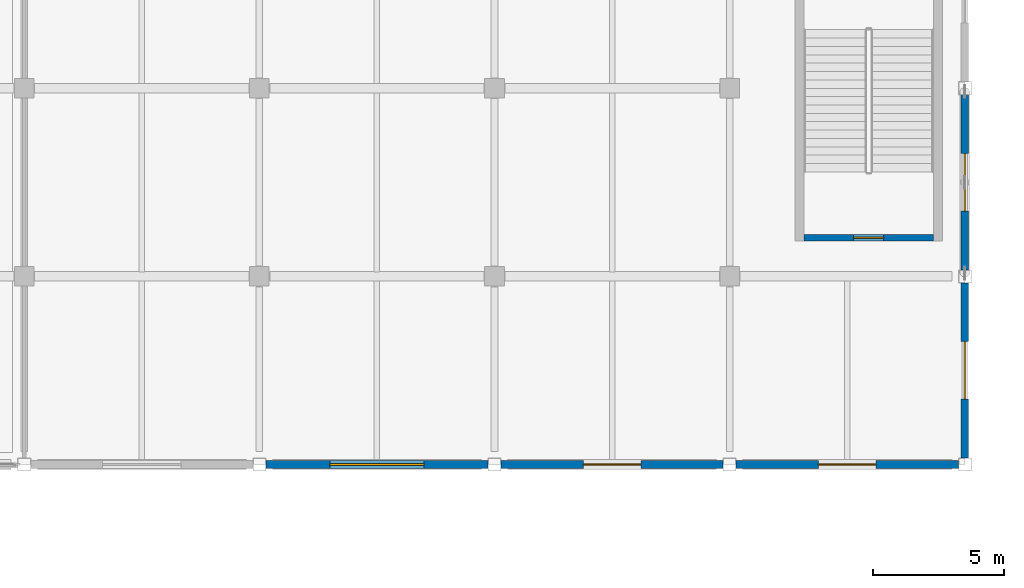
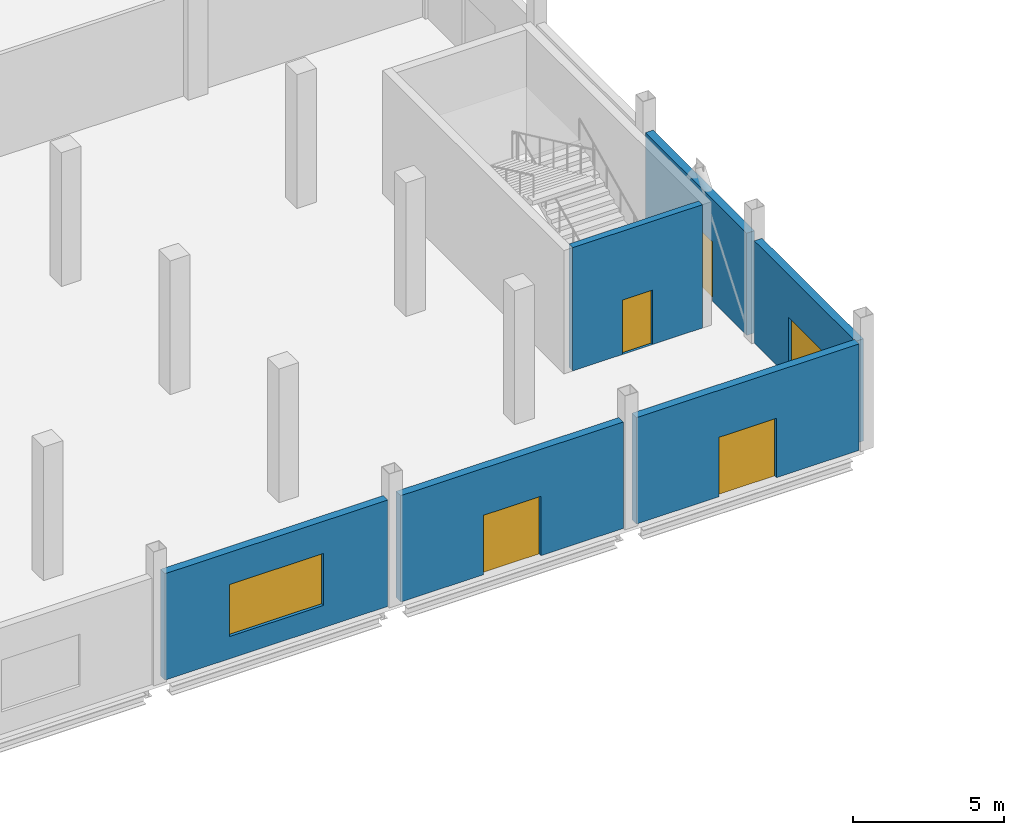
# One storey, part 94 of 137: 6 walls, 5 doors, 1 window, 6 openings.
"""IFC4 building model written with IfcOpenShell, lengths in metres."""

from ifc_helpers import new_model, si_unit, direction, frame, frame_2d, origin, place, context, subcontext, project, spatial, rectangle, extrude, material, layer, layer_set, type_object, element, fill, save


model = new_model("IFC4")

# Units and contexts
model_context = context("Model", 3, precision=1e-05, world=origin(), true_north=direction((0.0, 1.0)))
body_context = subcontext(model_context, "Body", "Model", "MODEL_VIEW")
ifc_project = project(units=[si_unit("LENGTHUNIT", "METRE"), si_unit("AREAUNIT", "SQUARE_METRE"), si_unit("VOLUMEUNIT", "CUBIC_METRE"), si_unit("PLANEANGLEUNIT", "RADIAN"), si_unit("MASSUNIT", "GRAM", prefix="KILO")], contexts=[model_context])

# Site, building, storey
site_placement = place(None, origin())
site = spatial("IfcSite", under=ifc_project, at=site_placement, CompositionType="ELEMENT")
building_placement = place(site_placement, origin())
building = spatial("IfcBuilding", under=site, at=building_placement, Name="Celestram Park Convention Centre", CompositionType="ELEMENT")
storey_placement = place(building_placement, origin())
storey = spatial("IfcBuildingStorey", under=building, at=storey_placement, Name="L00", CompositionType="ELEMENT", Elevation=0.0)

# Wall, opening, door
ifc_material_1 = material(Name="Concrete Block Masonry C25/30", Category="masonry")
ifc_layer_1 = layer(ifc_material_1, 0.25)
ifc_layer_set_1 = layer_set([ifc_layer_1], Name="Concrete Block Masonry C25/30")
wall_type_1 = type_object("IfcWallType", Name="ARC-WL-COR250", PredefinedType="STANDARD", material=ifc_layer_set_1)
wall_1_placement = place(storey_placement, frame((214.800048828125, 123.875, 0.0), z_axis=(0.0, 0.0, 1.0), x_axis=(-1.0, 0.0, 0.0)))
wall_1 = element("IfcWall", 1, at=wall_1_placement, inside=storey, type_object=wall_type_1, Name="Core S08 stair entrance wall", PredefinedType="STANDARD", context=body_context, shape_type="SweptSolid", body=[
    extrude(rectangle(XDim=4.9599609375, YDim=0.25, at=frame_2d((2.47998046875, 0.0))), origin(), (0.0, 0.0, 1.0), 4.97998046875),
])
opening_1_placement = place(wall_1_placement, frame((1.905029296875, 0.0, 0.0)))
opening_1 = element("IfcOpeningElement", 2, at=opening_1_placement, cuts=wall_1, Name="Opening D-ST1", PredefinedType="OPENING", context=body_context, shape_type="SweptSolid", body=[
    extrude(rectangle(XDim=1.14990234375, YDim=2.199951171875, at=frame_2d((0.574951171875, 1.10009765625))), frame((0.0, 0.135009765625, 0.0), z_axis=(0.0, -1.0, 0.0), x_axis=(1.0, 0.0, 0.0)), (0.0, 0.0, 1.0), 0.27001953125),
])
ifc_material_2 = material(Name="Fire-Rated Hollow Metal Steel ASTM A653", Category="steel")
door_type_1 = type_object("IfcDoorType", Name="ARC-DR-ST115", OperationType="NOTDEFINED", PredefinedType="DOOR", material=ifc_material_2)
door_1_placement = place(opening_1_placement, origin())
door_1 = element("IfcDoor", 3, at=door_1_placement, inside=storey, type_object=door_type_1, Name="Exit stair ST-08 fire door", OperationType="SINGLE_SWING_RIGHT", OverallHeight=2.199951171875, OverallWidth=1.14990234375, PredefinedType="DOOR", context=body_context, shape_type="SweptSolid", body=[
    extrude(rectangle(XDim=1.14990234375, YDim=2.199951171875, at=frame_2d((0.574951171875, 1.10009765625))), frame((0.0, 0.02490234375, 0.0), z_axis=(0.0, -1.0, 0.0), x_axis=(1.0, 0.0, 0.0)), (0.0, 0.0, 1.0), 0.050048828125),
])
fill(opening_1, door_1)

ifc_material_3 = material(Name="Precast Concrete C40/50", Category="concrete")
ifc_layer_2 = layer(ifc_material_3, 0.300048828125)
ifc_layer_set_2 = layer_set([ifc_layer_2], Name="Precast Concrete C40/50")
wall_type_2 = type_object("IfcWallType", Name="ARC-WL-EXT300", PredefinedType="STANDARD", material=ifc_layer_set_2)
wall_2_placement = place(storey_placement, frame((216.0, 129.35205078125, 0.0), z_axis=(0.0, 0.0, 1.0), x_axis=(0.0, -1.0, 0.0)))
wall_2 = element("IfcWall", 4, at=wall_2_placement, inside=storey, type_object=wall_type_2, Name="Bush-hammered precast exterior wall WL-L00-EW050", PredefinedType="STANDARD", context=body_context, shape_type="SweptSolid", body=[
    extrude(rectangle(XDim=6.7041015625, YDim=0.300048828125, at=frame_2d((3.35205078125, 0.0))), origin(), (0.0, 0.0, 1.0), 4.1240234375),
])
opening_2_placement = place(wall_2_placement, frame((2.251953125, 0.0, 0.0)))
opening_2 = element("IfcOpeningElement", 5, at=opening_2_placement, cuts=wall_2, Name="Opening D-EX1", PredefinedType="OPENING", context=body_context, shape_type="SweptSolid", body=[
    extrude(rectangle(XDim=2.199951171875, YDim=2.39990234375, at=frame_2d((1.10009765625, 1.199951171875))), frame((0.0, 0.159912109375, 0.0), z_axis=(0.0, -1.0, 0.0), x_axis=(1.0, 0.0, 0.0)), (0.0, 0.0, 1.0), 0.320068359375),
])
ifc_material_4 = material(Name="Anodised Aluminium & Tempered Glass", Category="aluminium")
door_type_2 = type_object("IfcDoorType", Name="ARC-DR-EX2200", OperationType="NOTDEFINED", PredefinedType="DOOR", material=ifc_material_4)
door_2_placement = place(opening_2_placement, origin())
door_2 = element("IfcDoor", 6, at=door_2_placement, inside=storey, type_object=door_type_2, Name="Ground egress exit door DR-L00-EX49", OperationType="DOUBLE_DOOR_SINGLE_SWING", OverallHeight=2.39990234375, OverallWidth=2.199951171875, PredefinedType="DOOR", context=body_context, shape_type="SweptSolid", body=[
    extrude(rectangle(XDim=2.199951171875, YDim=2.39990234375, at=frame_2d((1.10009765625, 1.199951171875))), frame((0.0, 0.02490234375, 0.0), z_axis=(0.0, -1.0, 0.0), x_axis=(1.0, 0.0, 0.0)), (0.0, 0.0, 1.0), 0.050048828125),
])
fill(opening_2, door_2)

wall_3_placement = place(storey_placement, frame((216.0, 122.152099609375, 0.0), z_axis=(0.0, 0.0, 1.0), x_axis=(0.0, -1.0, 0.0)))
wall_3 = element("IfcWall", 7, at=wall_3_placement, inside=storey, type_object=wall_type_2, Name="Bush-hammered precast exterior wall WL-L00-EW051", PredefinedType="STANDARD", context=body_context, shape_type="SweptSolid", body=[
    extrude(rectangle(XDim=6.7041015625, YDim=0.300048828125, at=frame_2d((3.35205078125, 0.0))), origin(), (0.0, 0.0, 1.0), 4.1240234375),
])
opening_3_placement = place(wall_3_placement, frame((2.251953125, 0.0, 0.0)))
opening_3 = element("IfcOpeningElement", 8, at=opening_3_placement, cuts=wall_3, Name="Opening D-EX1", PredefinedType="OPENING", context=body_context, shape_type="SweptSolid", body=[
    extrude(rectangle(XDim=2.199951171875, YDim=2.39990234375, at=frame_2d((1.10009765625, 1.199951171875))), frame((0.0, 0.159912109375, 0.0), z_axis=(0.0, -1.0, 0.0), x_axis=(1.0, 0.0, 0.0)), (0.0, 0.0, 1.0), 0.320068359375),
])
door_3_placement = place(opening_3_placement, origin())
door_3 = element("IfcDoor", 9, at=door_3_placement, inside=storey, type_object=door_type_2, Name="Ground egress exit door DR-L00-EX50", OperationType="DOUBLE_DOOR_SINGLE_SWING", OverallHeight=2.39990234375, OverallWidth=2.199951171875, PredefinedType="DOOR", context=body_context, shape_type="SweptSolid", body=[
    extrude(rectangle(XDim=2.199951171875, YDim=2.39990234375, at=frame_2d((1.10009765625, 1.199951171875))), frame((0.0, 0.02490234375, 0.0), z_axis=(0.0, -1.0, 0.0), x_axis=(1.0, 0.0, 0.0)), (0.0, 0.0, 1.0), 0.050048828125),
])
fill(opening_3, door_3)

wall_4_placement = place(storey_placement, frame((215.751953125, 115.199951171875, 0.0), z_axis=(0.0, 0.0, 1.0), x_axis=(-1.0, 0.0, 0.0)))
wall_4 = element("IfcWall", 10, at=wall_4_placement, inside=storey, type_object=wall_type_2, Name="Bush-hammered precast exterior wall WL-L00-EW052", PredefinedType="STANDARD", context=body_context, shape_type="SweptSolid", body=[
    extrude(rectangle(XDim=8.50390625, YDim=0.300048828125, at=frame_2d((4.251953125, 0.0))), origin(), (0.0, 0.0, 1.0), 4.297119140625),
])
opening_4_placement = place(wall_4_placement, frame((3.152099609375, 0.0, 0.0)))
opening_4 = element("IfcOpeningElement", 11, at=opening_4_placement, cuts=wall_4, Name="Opening D-EX1", PredefinedType="OPENING", context=body_context, shape_type="SweptSolid", body=[
    extrude(rectangle(XDim=2.199951171875, YDim=2.39990234375, at=frame_2d((1.10009765625, 1.199951171875))), frame((0.0, 0.159912109375, 0.0), z_axis=(0.0, -1.0, 0.0), x_axis=(1.0, 0.0, 0.0)), (0.0, 0.0, 1.0), 0.320068359375),
])
door_4_placement = place(opening_4_placement, origin())
door_4 = element("IfcDoor", 12, at=door_4_placement, inside=storey, type_object=door_type_2, Name="Ground egress exit door DR-L00-EX51", OperationType="DOUBLE_DOOR_SINGLE_SWING", OverallHeight=2.39990234375, OverallWidth=2.199951171875, PredefinedType="DOOR", context=body_context, shape_type="SweptSolid", body=[
    extrude(rectangle(XDim=2.199951171875, YDim=2.39990234375, at=frame_2d((1.10009765625, 1.199951171875))), frame((0.0, 0.02490234375, 0.0), z_axis=(0.0, -1.0, 0.0), x_axis=(1.0, 0.0, 0.0)), (0.0, 0.0, 1.0), 0.050048828125),
])
fill(opening_4, door_4)

wall_5_placement = place(storey_placement, frame((206.751953125, 115.199951171875, 0.0), z_axis=(0.0, 0.0, 1.0), x_axis=(-1.0, 0.0, 0.0)))
wall_5 = element("IfcWall", 13, at=wall_5_placement, inside=storey, type_object=wall_type_2, Name="Bush-hammered precast exterior wall WL-L00-EW053", PredefinedType="STANDARD", context=body_context, shape_type="SweptSolid", body=[
    extrude(rectangle(XDim=8.50390625, YDim=0.300048828125, at=frame_2d((4.251953125, 0.0))), origin(), (0.0, 0.0, 1.0), 4.297119140625),
])
opening_5_placement = place(wall_5_placement, frame((3.152099609375, 0.0, 0.0)))
opening_5 = element("IfcOpeningElement", 14, at=opening_5_placement, cuts=wall_5, Name="Opening D-EX1", PredefinedType="OPENING", context=body_context, shape_type="SweptSolid", body=[
    extrude(rectangle(XDim=2.199951171875, YDim=2.39990234375, at=frame_2d((1.10009765625, 1.199951171875))), frame((0.0, 0.159912109375, 0.0), z_axis=(0.0, -1.0, 0.0), x_axis=(1.0, 0.0, 0.0)), (0.0, 0.0, 1.0), 0.320068359375),
])
door_5_placement = place(opening_5_placement, origin())
door_5 = element("IfcDoor", 15, at=door_5_placement, inside=storey, type_object=door_type_2, Name="Ground egress exit door DR-L00-EX52", OperationType="DOUBLE_DOOR_SINGLE_SWING", OverallHeight=2.39990234375, OverallWidth=2.199951171875, PredefinedType="DOOR", context=body_context, shape_type="SweptSolid", body=[
    extrude(rectangle(XDim=2.199951171875, YDim=2.39990234375, at=frame_2d((1.10009765625, 1.199951171875))), frame((0.0, 0.02490234375, 0.0), z_axis=(0.0, -1.0, 0.0), x_axis=(1.0, 0.0, 0.0)), (0.0, 0.0, 1.0), 0.050048828125),
])
fill(opening_5, door_5)

# Wall, opening, window
wall_6_placement = place(storey_placement, frame((197.751953125, 115.199951171875, 0.0), z_axis=(0.0, 0.0, 1.0), x_axis=(-1.0, 0.0, 0.0)))
wall_6 = element("IfcWall", 16, at=wall_6_placement, inside=storey, type_object=wall_type_2, Name="Bush-hammered precast exterior wall WL-L00-EW054", PredefinedType="STANDARD", context=body_context, shape_type="SweptSolid", body=[
    extrude(rectangle(XDim=8.50390625, YDim=0.300048828125, at=frame_2d((4.251953125, 0.0))), origin(), (0.0, 0.0, 1.0), 4.297119140625),
])
opening_6_placement = place(wall_6_placement, frame((2.451904296875, 0.0, 0.89990234375)))
opening_6 = element("IfcOpeningElement", 17, at=opening_6_placement, cuts=wall_6, Name="Opening W-01", PredefinedType="OPENING", context=body_context, shape_type="SweptSolid", body=[
    extrude(rectangle(XDim=3.60009765625, YDim=2.10009765625, at=frame_2d((1.800048828125, 1.050048828125))), frame((0.0, 0.159912109375, 0.0), z_axis=(0.0, -1.0, 0.0), x_axis=(1.0, 0.0, 0.0)), (0.0, 0.0, 1.0), 0.320068359375),
])
ifc_material_5 = material(Name="Thermally Broken Aluminium & Triple Glazing", Category="aluminium")
window_type = type_object("IfcWindowType", Name="ARC-WN-360X220", PartitioningType="SINGLE_PANEL", PredefinedType="WINDOW", material=ifc_material_5)
window_placement = place(opening_6_placement, origin())
window = element("IfcWindow", 18, at=window_placement, inside=storey, type_object=window_type, Name="Punched exterior window WN-L00-001", OverallHeight=2.10009765625, OverallWidth=3.60009765625, PartitioningType="SINGLE_PANEL", PredefinedType="WINDOW", context=body_context, shape_type="SweptSolid", body=[
    extrude(rectangle(XDim=3.60009765625, YDim=2.10009765625, at=frame_2d((1.800048828125, 1.050048828125))), frame((0.0, 0.030029296875, 0.0), z_axis=(0.0, -1.0, 0.0), x_axis=(1.0, 0.0, 0.0)), (0.0, 0.0, 1.0), 0.06005859375),
])
fill(opening_6, window)

save(model, "model.ifc")
